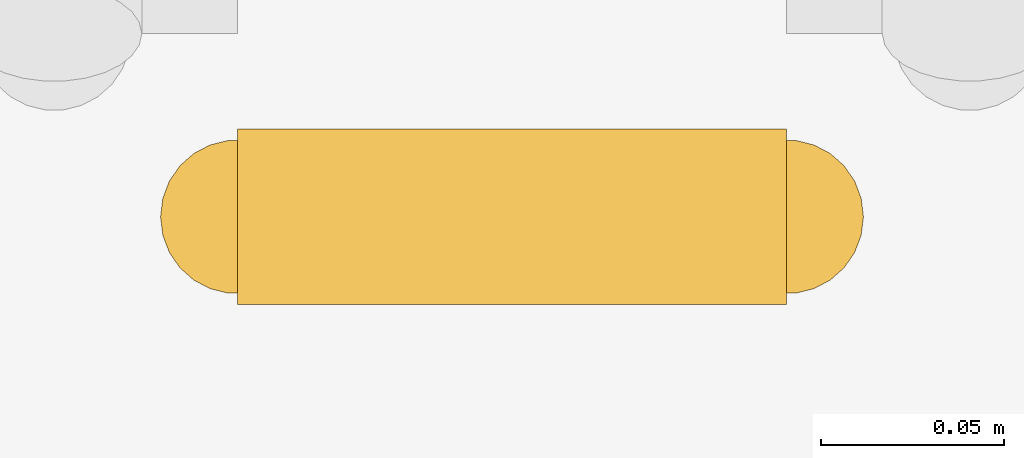
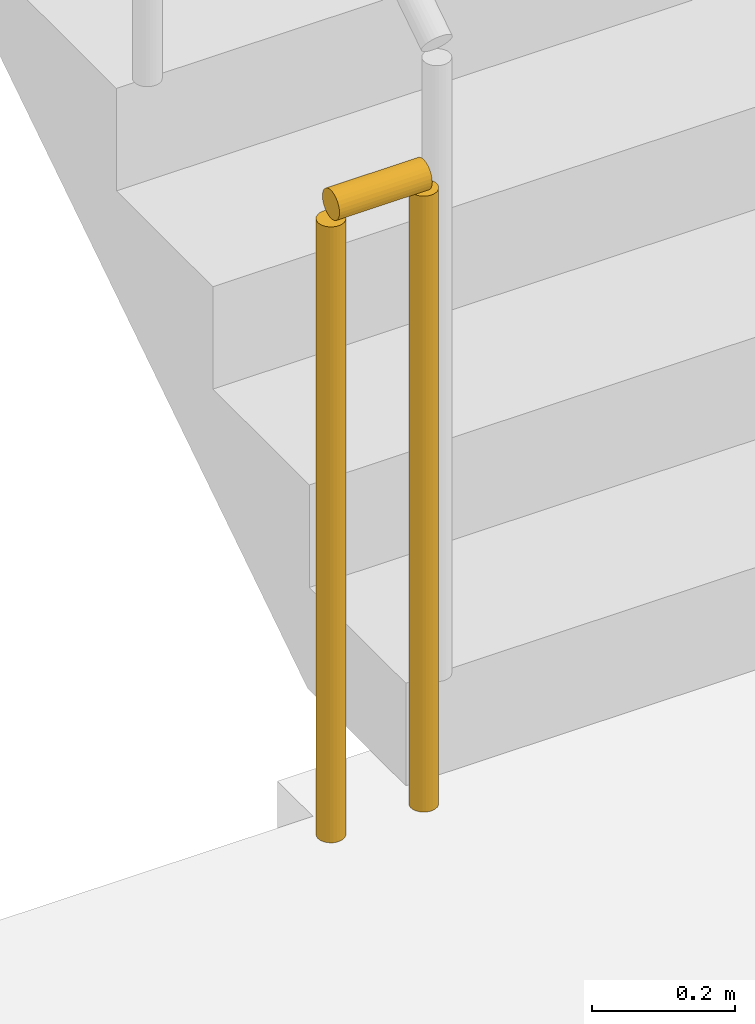
# One storey, part 16 of 19: 1 railing.
"""IFC4 building model written with IfcOpenShell, lengths in metres."""

from ifc_helpers import new_model, si_unit, direction, frame, origin, origin_2d, place, context, subcontext, project, spatial, circle, extrude, material, type_object, element, save


model = new_model("IFC4")

# Units and contexts
model_context = context("Model", 3, precision=1e-05, world=origin(), true_north=direction((0.0, 1.0)))
body_context = subcontext(model_context, "Body", "Model", "MODEL_VIEW")
ifc_project = project(units=[si_unit("LENGTHUNIT", "METRE"), si_unit("AREAUNIT", "SQUARE_METRE"), si_unit("VOLUMEUNIT", "CUBIC_METRE"), si_unit("PLANEANGLEUNIT", "RADIAN"), si_unit("MASSUNIT", "GRAM", prefix="KILO")], contexts=[model_context])

# Site, building, storey
site_placement = place(None, origin())
site = spatial("IfcSite", under=ifc_project, at=site_placement, CompositionType="ELEMENT")
building_placement = place(site_placement, origin())
building = spatial("IfcBuilding", under=site, at=building_placement, Name="Saffron Iwan Residences", CompositionType="ELEMENT")
storey_placement = place(building_placement, frame((0.0, 0.0, 236.0)))
storey = spatial("IfcBuildingStorey", under=building, at=storey_placement, Name="L63", CompositionType="ELEMENT", Elevation=236.0)

# Railing
ifc_material = material(Name="Steel S355", Category="steel")
railing_type = type_object("IfcRailingType", Name="Stair guard 1100", PredefinedType="GUARDRAIL", material=ifc_material)
railing_placement = place(storey_placement, frame((69.699951171875, 67.800048828125, 0.0)))
element("IfcRailing", 1, at=railing_placement, inside=storey, type_object=railing_type, Name="L63 ST-E stair guard 2", PredefinedType="GUARDRAIL", context=body_context, shape_type="SweptSolid", body=[
    extrude(circle(Radius=0.02392578125, at=origin_2d()), frame((0.0, 0.0, 1.076171875), z_axis=(-1.0, 0.0, 0.0), x_axis=(0.0, -1.0, 0.0)), (0.0, 0.0, 1.0), 0.14990234375),
    extrude(circle(Radius=0.02099609375, at=origin_2d()), origin(), (0.0, 0.0, 1.0), 1.052001953125),
    extrude(circle(Radius=0.02099609375, at=origin_2d()), frame((-0.14990234375, 0.0, 0.0)), (0.0, 0.0, 1.0), 1.052001953125),
])

save(model, "model.ifc")
